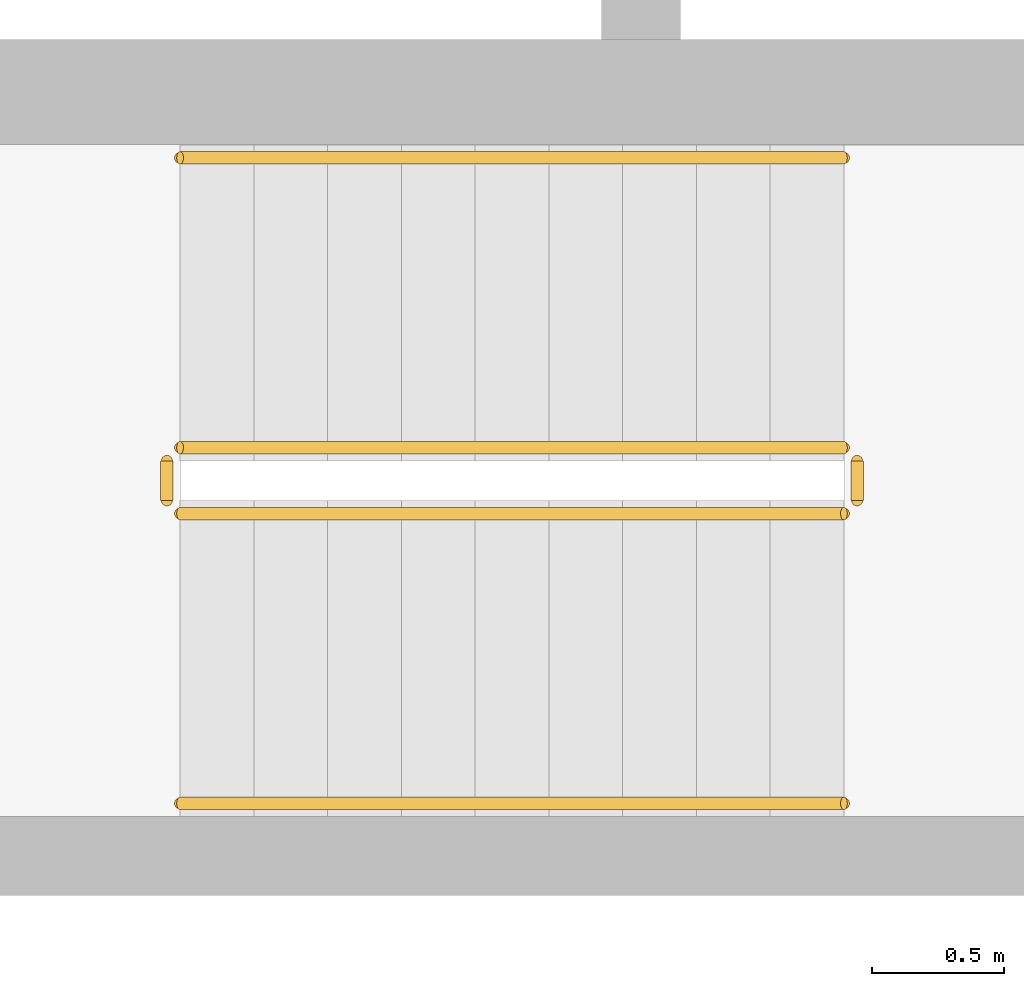
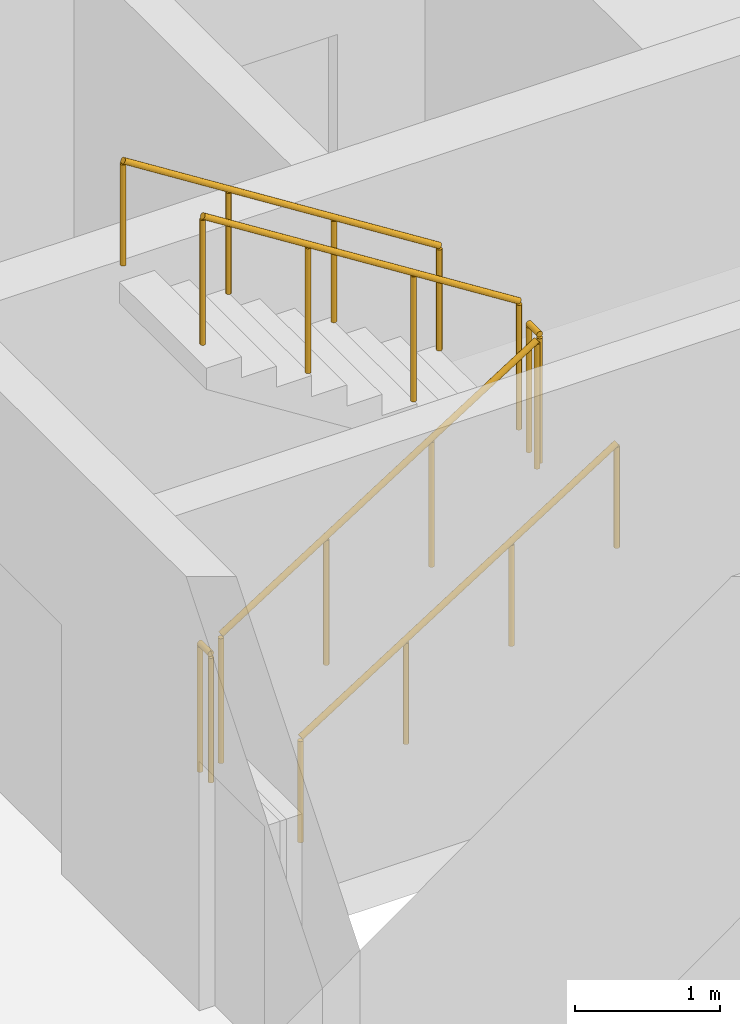
# One storey, part 16 of 19: 6 railings.
"""IFC4 building model written with IfcOpenShell, lengths in metres."""

from ifc_helpers import new_model, si_unit, direction, frame, origin, origin_2d, place, context, subcontext, project, spatial, circle, extrude, material, type_object, element, save


model = new_model("IFC4")

# Units and contexts
model_context = context("Model", 3, precision=1e-05, world=origin(), true_north=direction((0.0, 1.0)))
body_context = subcontext(model_context, "Body", "Model", "MODEL_VIEW")
ifc_project = project(units=[si_unit("LENGTHUNIT", "METRE"), si_unit("AREAUNIT", "SQUARE_METRE"), si_unit("VOLUMEUNIT", "CUBIC_METRE"), si_unit("PLANEANGLEUNIT", "RADIAN"), si_unit("MASSUNIT", "GRAM", prefix="KILO")], contexts=[model_context])

# Site, building, storey
site_placement = place(None, origin())
site = spatial("IfcSite", under=ifc_project, at=site_placement, CompositionType="ELEMENT")
building_placement = place(site_placement, origin())
building = spatial("IfcBuilding", under=site, at=building_placement, Name="Ostrand Prow Hotel Tower", CompositionType="ELEMENT")
storey_placement = place(building_placement, frame((0.0, 0.0, 39.60009765625)))
storey = spatial("IfcBuildingStorey", under=building, at=storey_placement, Name="L07", CompositionType="ELEMENT", Elevation=39.60009765625)

# Railings
ifc_material_1 = material(Name="Painted steel", Category="steel")
railing_type_1 = type_object("IfcRailingType", Name="Stair guard 1100", PredefinedType="GUARDRAIL", material=ifc_material_1)
railing_1_placement = place(storey_placement, frame((57.199951171875, -11.75, 0.177490234375)))
element("IfcRailing", 1, at=railing_1_placement, inside=storey, type_object=railing_type_1, Name="L07 ST2C stair guard 1", PredefinedType="GUARDRAIL", context=body_context, shape_type="SweptSolid", body=[
    extrude(circle(Radius=0.02392578125, at=origin_2d()), frame((0.0, 0.0, 1.076171875), z_axis=(0.84460694969, 0.0, 0.535386869969), x_axis=(0.0, 1.0, 0.0)), (0.0, 0.0, 1.0), 2.983642578125),
    extrude(circle(Radius=0.02099609375, at=origin_2d()), origin(), (0.0, 0.0, 1.0), 1.052001953125),
    extrude(circle(Radius=0.02099609375, at=origin_2d()), frame((0.840087890625, 0.0, 0.532470703125)), (0.0, 0.0, 1.0), 1.052001953125),
    extrude(circle(Radius=0.02099609375, at=origin_2d()), frame((1.679931640625, 0.0, 1.06494140625)), (0.0, 0.0, 1.0), 1.052001953125),
    extrude(circle(Radius=0.02099609375, at=origin_2d()), frame((2.52001953125, 0.0, 1.597412109375)), (0.0, 0.0, 1.0), 1.052001953125),
])
railing_2_placement = place(storey_placement, frame((59.77001953125, -11.699951171875, 1.77490234375)))
element("IfcRailing", 2, at=railing_2_placement, inside=storey, type_object=railing_type_1, Name="L07 ST2C stair guard 2", PredefinedType="GUARDRAIL", context=body_context, shape_type="SweptSolid", body=[
    extrude(circle(Radius=0.02392578125, at=origin_2d()), frame((0.0, 0.0, 1.076171875), z_axis=(0.0, 1.0, 0.0), x_axis=(-1.0, 0.0, 0.0)), (0.0, 0.0, 1.0), 0.14990234375),
    extrude(circle(Radius=0.02099609375, at=origin_2d()), origin(), (0.0, 0.0, 1.0), 1.052001953125),
    extrude(circle(Radius=0.02099609375, at=origin_2d()), frame((0.0, 0.14990234375, 0.0)), (0.0, 0.0, 1.0), 1.052001953125),
])
railing_3_placement = place(storey_placement, frame((59.719970703125, -11.5, 1.952392578125)))
element("IfcRailing", 3, at=railing_3_placement, inside=storey, type_object=railing_type_1, Name="L07 ST2C stair guard 3", PredefinedType="GUARDRAIL", context=body_context, shape_type="SweptSolid", body=[
    extrude(circle(Radius=0.02392578125, at=origin_2d()), frame((0.0, 0.0, 1.076171875), z_axis=(-0.84460694969, 0.0, 0.535386869969), x_axis=(0.0, -1.0, 0.0)), (0.0, 0.0, 1.0), 2.983642578125),
    extrude(circle(Radius=0.02099609375, at=origin_2d()), origin(), (0.0, 0.0, 1.0), 1.052001953125),
    extrude(circle(Radius=0.02099609375, at=origin_2d()), frame((-0.840087890625, 0.0, 0.532470703125)), (0.0, 0.0, 1.0), 1.052001953125),
    extrude(circle(Radius=0.02099609375, at=origin_2d()), frame((-1.679931640625, 0.0, 1.06494140625)), (0.0, 0.0, 1.0), 1.052001953125),
    extrude(circle(Radius=0.02099609375, at=origin_2d()), frame((-2.52001953125, 0.0, 1.597412109375)), (0.0, 0.0, 1.0), 1.052001953125),
])
railing_4_placement = place(storey_placement, frame((57.14990234375, -11.699951171875, 0.0)))
element("IfcRailing", 4, at=railing_4_placement, inside=storey, type_object=railing_type_1, Name="L07 ST2C stair guard 4", PredefinedType="GUARDRAIL", context=body_context, shape_type="SweptSolid", body=[
    extrude(circle(Radius=0.02392578125, at=origin_2d()), frame((0.0, 0.0, 1.076171875), z_axis=(0.0, 1.0, 0.0), x_axis=(-1.0, 0.0, 0.0)), (0.0, 0.0, 1.0), 0.14990234375),
    extrude(circle(Radius=0.02099609375, at=origin_2d()), origin(), (0.0, 0.0, 1.0), 1.052001953125),
    extrude(circle(Radius=0.02099609375, at=origin_2d()), frame((0.0, 0.14990234375, 0.0)), (0.0, 0.0, 1.0), 1.052001953125),
])
ifc_material_2 = material(Name="Stainless steel", Category="steel")
railing_type_2 = type_object("IfcRailingType", Name="Stair handrail 900", PredefinedType="HANDRAIL", material=ifc_material_2)
railing_5_placement = place(storey_placement, frame((57.199951171875, -12.85009765625, 0.177490234375)))
element("IfcRailing", 5, at=railing_5_placement, inside=storey, type_object=railing_type_2, Name="L07 ST2C stair handrail 1", PredefinedType="HANDRAIL", context=body_context, shape_type="SweptSolid", body=[
    extrude(circle(Radius=0.02392578125, at=origin_2d()), frame((0.0, 0.0, 0.8759765625), z_axis=(0.84460694969, 0.0, 0.535386869969), x_axis=(0.0, 1.0, 0.0)), (0.0, 0.0, 1.0), 2.983642578125),
    extrude(circle(Radius=0.02099609375, at=origin_2d()), origin(), (0.0, 0.0, 1.0), 0.851806640625),
    extrude(circle(Radius=0.02099609375, at=origin_2d()), frame((0.840087890625, 0.0, 0.532470703125)), (0.0, 0.0, 1.0), 0.851806640625),
    extrude(circle(Radius=0.02099609375, at=origin_2d()), frame((1.679931640625, 0.0, 1.06494140625)), (0.0, 0.0, 1.0), 0.851806640625),
    extrude(circle(Radius=0.02099609375, at=origin_2d()), frame((2.52001953125, 0.0, 1.597412109375)), (0.0, 0.0, 1.0), 0.851806640625),
])
railing_6_placement = place(storey_placement, frame((59.719970703125, -10.39990234375, 1.952392578125)))
element("IfcRailing", 6, at=railing_6_placement, inside=storey, type_object=railing_type_2, Name="L07 ST2C stair handrail 2", PredefinedType="HANDRAIL", context=body_context, shape_type="SweptSolid", body=[
    extrude(circle(Radius=0.02392578125, at=origin_2d()), frame((0.0, 0.0, 0.8759765625), z_axis=(-0.84460694969, 0.0, 0.535386869969), x_axis=(0.0, -1.0, 0.0)), (0.0, 0.0, 1.0), 2.983642578125),
    extrude(circle(Radius=0.02099609375, at=origin_2d()), origin(), (0.0, 0.0, 1.0), 0.851806640625),
    extrude(circle(Radius=0.02099609375, at=origin_2d()), frame((-0.840087890625, 0.0, 0.532470703125)), (0.0, 0.0, 1.0), 0.851806640625),
    extrude(circle(Radius=0.02099609375, at=origin_2d()), frame((-1.679931640625, 0.0, 1.06494140625)), (0.0, 0.0, 1.0), 0.851806640625),
    extrude(circle(Radius=0.02099609375, at=origin_2d()), frame((-2.52001953125, 0.0, 1.597412109375)), (0.0, 0.0, 1.0), 0.851806640625),
])

save(model, "model.ifc")
